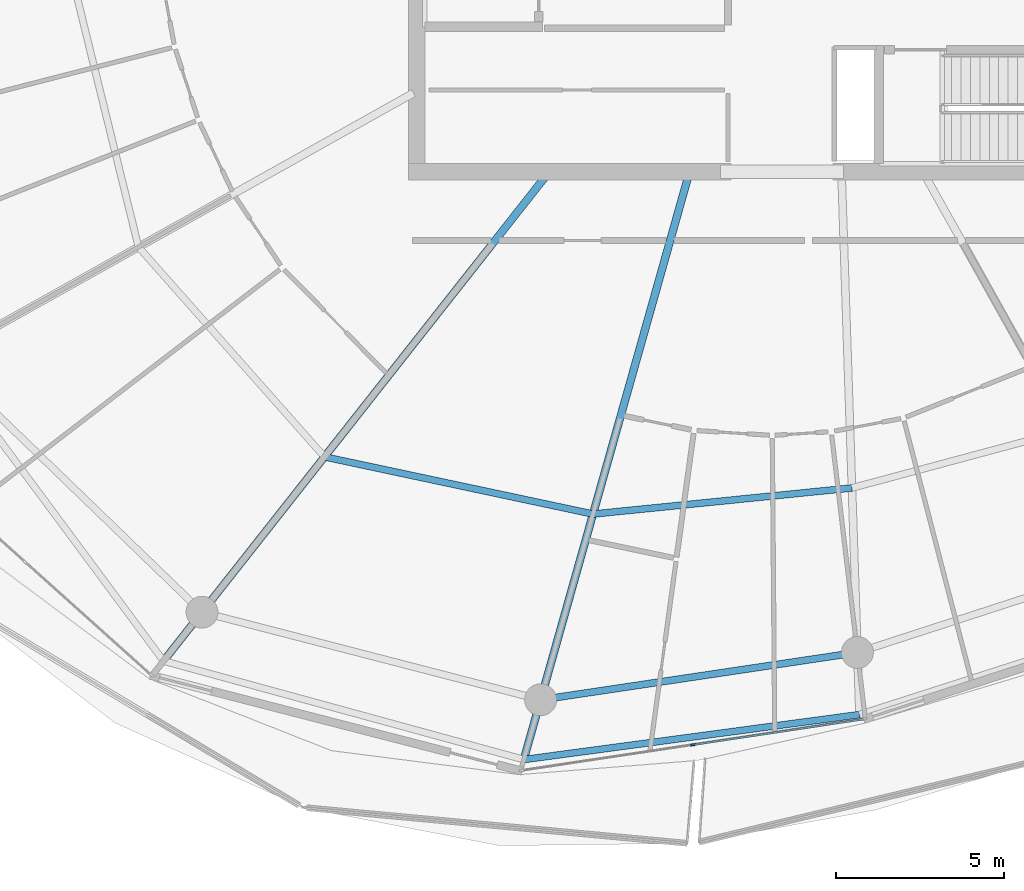
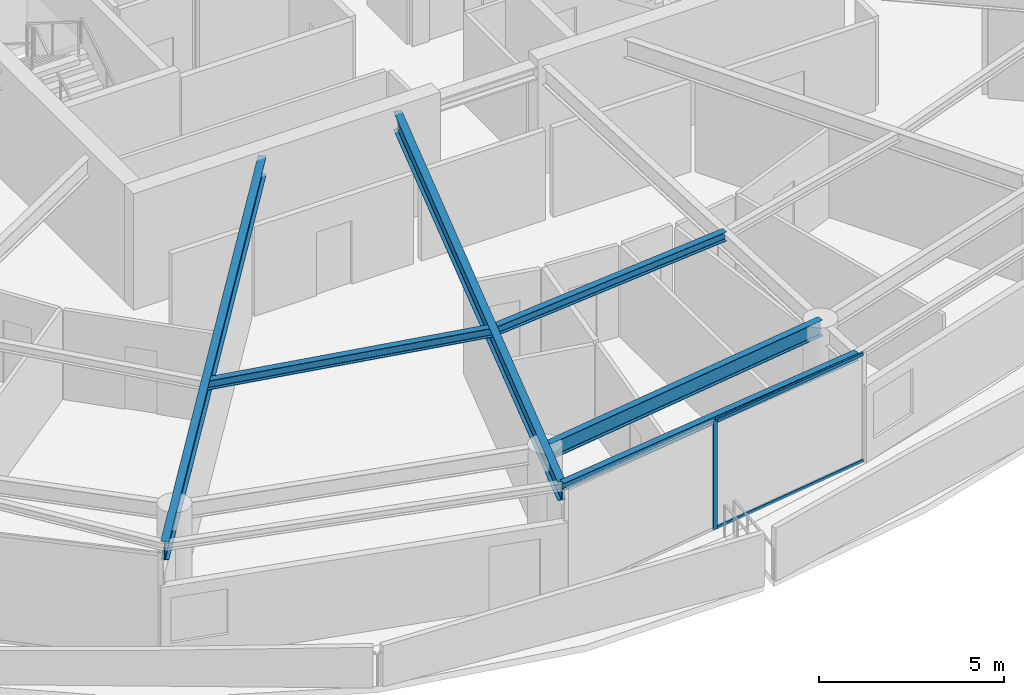
# One storey, part 7 of 30: 6 beams, 3 members, 1 element without a shape of its own.
"""IFC4 building model written with IfcOpenShell, lengths in metres."""

from ifc_helpers import new_model, si_unit, direction, frame, origin, origin_2d, place, context, subcontext, project, spatial, rectangle, i_section, extrude, material, layer, layer_set, material_profile, profile_set, type_object, element, aggregate, save


model = new_model("IFC4")

# Units and contexts
model_context = context("Model", 3, precision=1e-05, world=origin(), true_north=direction((0.0, 1.0)))
body_context = subcontext(model_context, "Body", "Model", "MODEL_VIEW")
ifc_project = project(units=[si_unit("LENGTHUNIT", "METRE"), si_unit("AREAUNIT", "SQUARE_METRE"), si_unit("VOLUMEUNIT", "CUBIC_METRE"), si_unit("PLANEANGLEUNIT", "RADIAN"), si_unit("MASSUNIT", "GRAM", prefix="KILO")], contexts=[model_context])

# Site, building, storey
site_placement = place(None, origin())
site = spatial("IfcSite", under=ifc_project, at=site_placement, CompositionType="ELEMENT")
building_placement = place(site_placement, origin())
building = spatial("IfcBuilding", under=site, at=building_placement, Name="Kazma Halo Residences", CompositionType="ELEMENT")
storey_placement = place(building_placement, frame((0.0, 0.0, 294.449951171875)))
storey = spatial("IfcBuildingStorey", under=building, at=storey_placement, Name="L74", CompositionType="ELEMENT", Elevation=294.449951171875)

# Beams
ifc_material_1 = material(Name="Steel S355", Category="steel")
ifc_material_profile_1 = material_profile(ifc_material_1, i_section(OverallWidth=0.201904296875, OverallDepth=0.2470703125, WebThickness=0.00732421875, FlangeThickness=0.010986328125, FilletRadius=0.011962890625, at=origin_2d()), Name="W250x49.1")
ifc_profile_set_1 = profile_set([ifc_material_profile_1], Name="Steel S355")
beam_type_1 = type_object("IfcBeamType", Name="BM-BAL-CANT", PredefinedType="BEAM", material=ifc_profile_set_1)
beam_1_placement = place(storey_placement, frame((40.73486328125, 16.239990234375, 3.466552734375), z_axis=(0.991136135569, 0.132850144029, 0.0), x_axis=(-0.132850144029, 0.991136135569, 0.0)))
element("IfcBeam", 1, at=beam_1_placement, inside=storey, type_object=beam_type_1, Name="L74 wave-balcony tie beam 11", PredefinedType="BEAM", context=body_context, shape_type="SweptSolid", body=[
    extrude(i_section(OverallWidth=0.201904296875, OverallDepth=0.2470703125, WebThickness=0.00732421875, FlangeThickness=0.010986328125, FilletRadius=0.011962890625, at=origin_2d()), origin(), (0.0, 0.0, 1.0), 10.087158203125),
])
ifc_material_profile_2 = material_profile(ifc_material_1, i_section(OverallWidth=0.22802734375, OverallDepth=0.60791015625, WebThickness=0.01123046875, FlangeThickness=0.017333984375, FilletRadius=0.01806640625, at=origin_2d()), Name="W610x113")
ifc_profile_set_2 = profile_set([ifc_material_profile_2], Name="Steel S355")
beam_type_2 = type_object("IfcBeamType", Name="BM-RAD-W610", PredefinedType="BEAM", material=ifc_profile_set_2)
beam_2_placement = place(storey_placement, frame((41.41748046875, 33.64990234375, 3.2861328125), z_axis=(-0.619094367176, -0.785316601461, 0.0), x_axis=(0.785316601461, -0.619094367176, 0.0)))
element("IfcBeam", 2, at=beam_2_placement, inside=storey, type_object=beam_type_2, Name="L74 radial floor beam 10", PredefinedType="BEAM", context=body_context, shape_type="SweptSolid", body=[
    extrude(i_section(OverallWidth=0.22802734375, OverallDepth=0.60791015625, WebThickness=0.01123046875, FlangeThickness=0.017333984375, FilletRadius=0.01806640625, at=origin_2d()), origin(), (0.0, 0.0, 1.0), 18.429931640625),
])
beam_3_placement = place(storey_placement, frame((45.64501953125, 33.64990234375, 3.2861328125), z_axis=(-0.271443175073, -0.962454467861, 0.0), x_axis=(0.962454467861, -0.271443175073, 0.0)))
element("IfcBeam", 3, at=beam_3_placement, inside=storey, type_object=beam_type_2, Name="L74 radial floor beam 11", PredefinedType="BEAM", context=body_context, shape_type="SweptSolid", body=[
    extrude(i_section(OverallWidth=0.22802734375, OverallDepth=0.60791015625, WebThickness=0.01123046875, FlangeThickness=0.017333984375, FilletRadius=0.01806640625, at=origin_2d()), origin(), (0.0, 0.0, 1.0), 18.089111328125),
])
ifc_material_profile_3 = material_profile(ifc_material_1, i_section(OverallWidth=0.202880859375, OverallDepth=0.302978515625, WebThickness=0.007568359375, FlangeThickness=0.01318359375, FilletRadius=0.013916015625, at=origin_2d()), Name="W310x60")
ifc_profile_set_3 = profile_set([ifc_material_profile_3], Name="Steel S355")
beam_type_3 = type_object("IfcBeamType", Name="BM-SEC-W310A", PredefinedType="JOIST", material=ifc_profile_set_3)
beam_4_placement = place(storey_placement, frame((34.7998046875, 25.25537109375, 3.4384765625), z_axis=(0.97806685939, -0.208291186956, 0.0), x_axis=(0.208291186956, 0.97806685939, 0.0)))
element("IfcBeam", 4, at=beam_4_placement, inside=storey, type_object=beam_type_3, Name="L74 circumferential floor joist 10", PredefinedType="JOIST", context=body_context, shape_type="SweptSolid", body=[
    extrude(i_section(OverallWidth=0.202880859375, OverallDepth=0.302978515625, WebThickness=0.007568359375, FlangeThickness=0.01318359375, FilletRadius=0.013916015625, at=origin_2d()), origin(), (0.0, 0.0, 1.0), 8.1767578125),
])
beam_5_placement = place(storey_placement, frame((42.797119140625, 23.55224609375, 3.4384765625), z_axis=(0.994958290831, 0.100289578258, 0.0), x_axis=(-0.100289578258, 0.994958290831, 0.0)))
element("IfcBeam", 5, at=beam_5_placement, inside=storey, type_object=beam_type_3, Name="L74 circumferential floor joist 11", PredefinedType="JOIST", context=body_context, shape_type="SweptSolid", body=[
    extrude(i_section(OverallWidth=0.202880859375, OverallDepth=0.302978515625, WebThickness=0.007568359375, FlangeThickness=0.01318359375, FilletRadius=0.013916015625, at=origin_2d()), origin(), (0.0, 0.0, 1.0), 7.7509765625),
])
ifc_material_profile_4 = material_profile(ifc_material_1, i_section(OverallWidth=0.208984375, OverallDepth=0.532958984375, WebThickness=0.01025390625, FlangeThickness=0.015625, FilletRadius=0.01611328125, at=origin_2d()), Name="W530x92")
ifc_profile_set_4 = profile_set([ifc_material_profile_4], Name="Steel S355")
beam_type_4 = type_object("IfcBeamType", Name="BM-SPN-W530", PredefinedType="BEAM", material=ifc_profile_set_4)
beam_6_placement = place(storey_placement, frame((41.237060546875, 18.0205078125, 3.323486328125), z_axis=(0.989035441627, 0.147678350495, 0.0), x_axis=(-0.147678350495, 0.989035441627, 0.0)))
element("IfcBeam", 6, at=beam_6_placement, inside=storey, type_object=beam_type_4, Name="L74 perimeter ring beam 11", PredefinedType="BEAM", context=body_context, shape_type="SweptSolid", body=[
    extrude(i_section(OverallWidth=0.208984375, OverallDepth=0.532958984375, WebThickness=0.01025390625, FlangeThickness=0.015625, FilletRadius=0.01611328125, at=origin_2d()), origin(), (0.0, 0.0, 1.0), 9.538818359375),
])

# Curtain wall, members
ifc_material_2 = material(Name="Aluminium AW-6063 T6 and Triple-Silver Low-E Glass", Category="aluminium")
ifc_layer = layer(ifc_material_2, 0.139892578125)
ifc_layer_set = layer_set([ifc_layer], Name="Aluminium AW-6063 T6 and Triple-Silver Low-E Glass")
curtain_wall_type = type_object("IfcCurtainWallType", Name="CW-SYS-5", PredefinedType="NOTDEFINED", material=ifc_layer_set)
curtain_wall_placement = place(storey_placement, origin())
curtain_wall = element("IfcCurtainWall", 7, at=curtain_wall_placement, inside=storey, type_object=curtain_wall_type, Name="L74 unitised curtain wall B11", PredefinedType="NOTDEFINED")
ifc_material_3 = material(Name="Aluminium AW-6063 T6", Category="aluminium")
ifc_material_profile_5 = material_profile(ifc_material_3, rectangle(XDim=0.06005859375, YDim=0.139892578125, at=origin_2d()), Name="CWM-60x140")
ifc_profile_set_5 = profile_set([ifc_material_profile_5], Name="Aluminium AW-6063 T6")
member_type_1 = type_object("IfcMemberType", Name="CW-SYS-5-MUL", PredefinedType="MULLION", material=ifc_profile_set_5)
member_1_placement = place(storey_placement, frame((45.7734375, 16.679931640625, 0.0), z_axis=(0.0, 0.0, 1.0), x_axis=(-0.148697080374, 0.988882792998, 0.0)))
member_1 = element("IfcMember", 8, at=member_1_placement, type_object=member_type_1, Name="CWS-5 mullion 2", PredefinedType="MULLION", context=body_context, shape_type="SweptSolid", body=[
    extrude(rectangle(XDim=0.06005859375, YDim=0.139892578125, at=origin_2d()), origin(), (0.0, 0.0, 1.0), 3.590087890625),
])
ifc_material_profile_6 = material_profile(ifc_material_3, rectangle(XDim=0.06005859375, YDim=0.10498046875, at=origin_2d()), Name="CWT-60x105")
ifc_profile_set_6 = profile_set([ifc_material_profile_6], Name="Aluminium AW-6063 T6")
member_type_2 = type_object("IfcMemberType", Name="CW-SYS-5-TRN", PredefinedType="USERDEFINED", material=ifc_profile_set_6)
member_2_placement = place(storey_placement, frame((45.80322265625, 16.6845703125, 0.030029296875), z_axis=(0.988882913569, 0.148696278541, 0.0), x_axis=(-0.148696278541, 0.988882913569, 0.0)))
member_2 = element("IfcMember", 9, at=member_2_placement, type_object=member_type_2, Name="CWS-5 transom 2.1", ObjectType="TRANSOM", PredefinedType="USERDEFINED", context=body_context, shape_type="SweptSolid", body=[
    extrude(rectangle(XDim=0.06005859375, YDim=0.10498046875, at=origin_2d()), origin(), (0.0, 0.0, 1.0), 5.099609375),
])
member_3_placement = place(storey_placement, frame((45.80322265625, 16.6845703125, 3.56005859375), z_axis=(0.988882913569, 0.148696278541, 0.0), x_axis=(-0.148696278541, 0.988882913569, 0.0)))
member_3 = element("IfcMember", 10, at=member_3_placement, type_object=member_type_2, Name="CWS-5 transom 2.2", ObjectType="TRANSOM", PredefinedType="USERDEFINED", context=body_context, shape_type="SweptSolid", body=[
    extrude(rectangle(XDim=0.06005859375, YDim=0.10498046875, at=origin_2d()), origin(), (0.0, 0.0, 1.0), 5.099609375),
])
aggregate(curtain_wall, [member_1, member_2, member_3])

save(model, "model.ifc")
